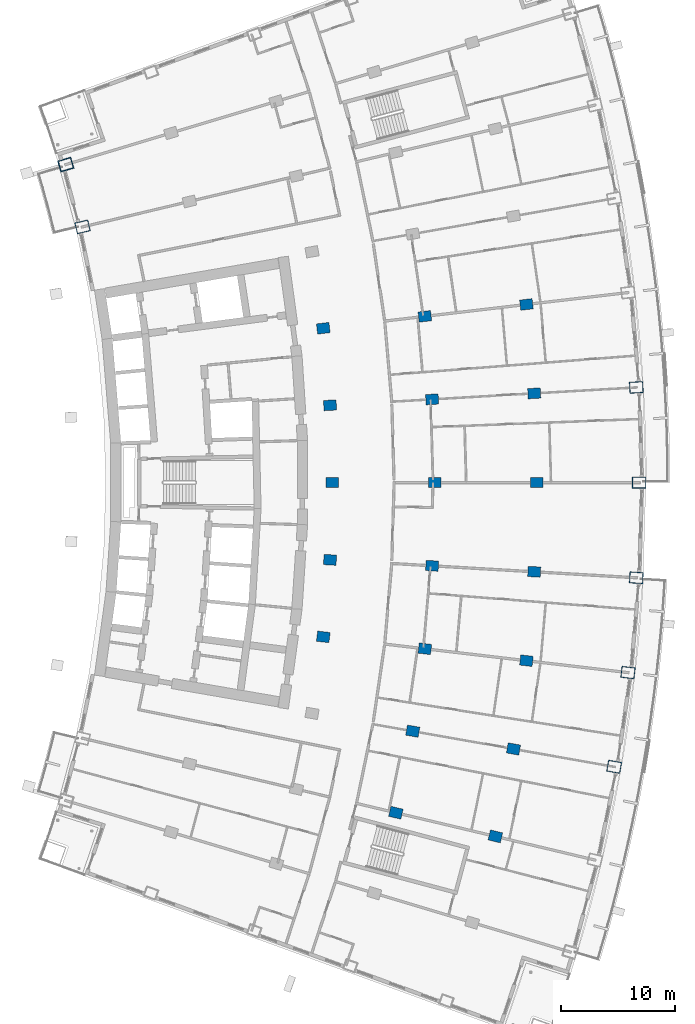
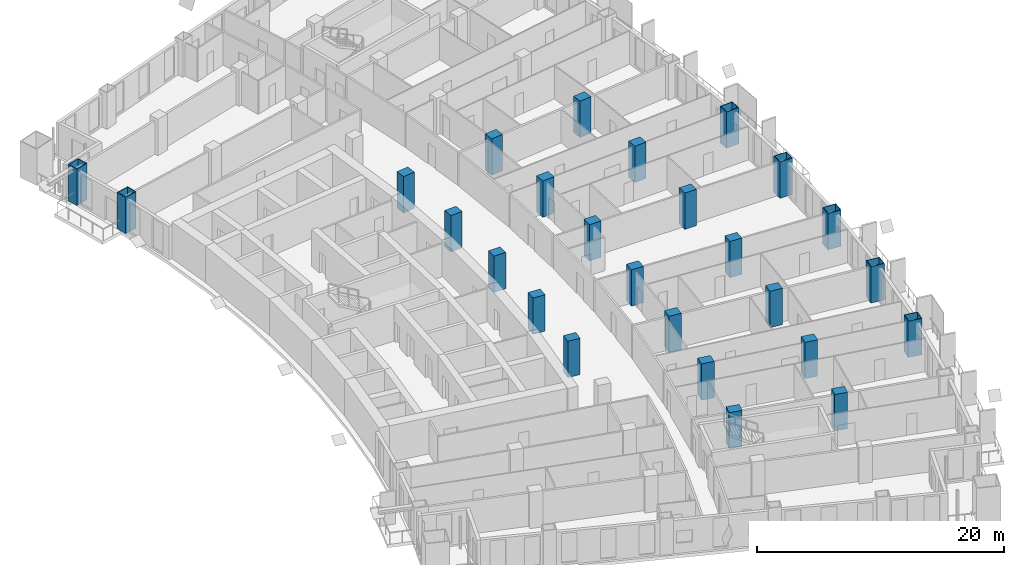
# One storey, part 6 of 25: 26 columns.
"""IFC4 building model written with IfcOpenShell, lengths in metres."""

from ifc_helpers import new_model, si_unit, direction, frame, origin, origin_2d, place, context, subcontext, project, spatial, rectangle, hollow_rectangle, extrude, material, material_profile, profile_set, type_object, element, save


model = new_model("IFC4")

# Units and contexts
model_context = context("Model", 3, precision=1e-05, world=origin(), true_north=direction((0.0, 1.0)))
body_context = subcontext(model_context, "Body", "Model", "MODEL_VIEW")
ifc_project = project(units=[si_unit("LENGTHUNIT", "METRE"), si_unit("AREAUNIT", "SQUARE_METRE"), si_unit("VOLUMEUNIT", "CUBIC_METRE"), si_unit("PLANEANGLEUNIT", "RADIAN"), si_unit("MASSUNIT", "GRAM", prefix="KILO")], contexts=[model_context])

# Site, building, storey
site_placement = place(None, origin())
site = spatial("IfcSite", under=ifc_project, at=site_placement, CompositionType="ELEMENT")
building_placement = place(site_placement, origin())
building = spatial("IfcBuilding", under=site, at=building_placement, Name="Alderwake Tower", CompositionType="ELEMENT")
storey_placement = place(building_placement, frame((0.0, 0.0, 60.800048828125)))
storey = spatial("IfcBuildingStorey", under=building, at=storey_placement, Name="L14", CompositionType="ELEMENT", Elevation=60.800048828125)

# Columns
ifc_material_1 = material(Name="Concrete C70/85", Category="concrete")
ifc_material_profile_1 = material_profile(ifc_material_1, rectangle(XDim=0.89990234375, YDim=1.10009765625, at=origin_2d()), Name="RC 1100X900")
ifc_profile_set_1 = profile_set([ifc_material_profile_1], Name="Concrete C70/85")
column_type_1 = type_object("IfcColumnType", Name="Interior column Z1", PredefinedType="COLUMN", material=ifc_profile_set_1)
for number, where, z_axis, x_axis, name in (
    (1, (41.353271484375, 32.158935546875, 0.0), (0.0, 0.0, 1.0), (0.231221547198, 0.972901123502, 0.0), "Column R03-C3"),
    (2, (50.04443359375, 30.09326171875, 0.0), (0.0, 0.0, 1.0), (0.231221547198, 0.972901123502, 0.0), "Column R03-C4"),
    (3, (42.828125, 39.282958984375, 0.0), (0.0, 0.0, 1.0), (0.174108800747, 0.984726421654, 0.0), "Column R04-C3"),
    (4, (51.625, 37.7275390625, 0.0), (0.0, 0.0, 1.0), (0.174108800747, 0.984726421654, 0.0), "Column R04-C4"),
    (5, (35.0126953125, 47.5205078125, 0.0), (0.0, 0.0, 1.0), (0.116402054316, 0.993202175668, 0.0), "Column R05-C2"),
    (6, (43.885498046875, 46.480712890625, 0.0), (0.0, 0.0, 1.0), (0.116402054316, 0.993202175668, 0.0), "Column R05-C3"),
    (7, (52.758056640625, 45.44091796875, 0.0), (0.0, 0.0, 1.0), (0.116402054316, 0.993202175668, 0.0), "Column R05-C4"),
    (8, (35.60302734375, 54.248779296875, 0.0), (0.0, 0.0, 1.0), (0.058301061284, 0.998299046505, 0.0), "Column R06-C2"),
    (9, (44.52099609375, 53.72802734375, 0.0), (0.0, 0.0, 1.0), (0.058301061284, 0.998299046505, 0.0), "Column R06-C3"),
    (10, (53.439208984375, 53.207275390625, 0.0), (0.0, 0.0, 1.0), (0.058301061284, 0.998299046505, 0.0), "Column R06-C4"),
    (11, (35.800048828125, 61.0, 0.0), (0.0, 0.0, 1.0), (0.0, 1.0, 0.0), "Column R07-C2"),
    (12, (44.7333984375, 61.0, 0.0), (0.0, 0.0, 1.0), (0.0, 1.0, 0.0), "Column R07-C3"),
    (13, (53.666748046875, 61.0, 0.0), (0.0, 0.0, 1.0), (0.0, 1.0, 0.0), "Column R07-C4"),
    (14, (35.60302734375, 67.751220703125, 0.0), (0.0, 0.0, 1.0), (-0.058301061284, 0.998299046505, 0.0), "Column R08-C2"),
    (15, (44.52099609375, 68.27197265625, 0.0), (0.0, 0.0, 1.0), (-0.058301061284, 0.998299046505, 0.0), "Column R08-C3"),
    (16, (53.439208984375, 68.792724609375, 0.0), (0.0, 0.0, 1.0), (-0.058301061284, 0.998299046505, 0.0), "Column R08-C4"),
    (17, (35.0126953125, 74.4794921875, 0.0), (0.0, 0.0, 1.0), (-0.116402054316, 0.993202175668, 0.0), "Column R09-C2"),
    (18, (43.885498046875, 75.519287109375, 0.0), (0.0, 0.0, 1.0), (-0.116402054316, 0.993202175668, 0.0), "Column R09-C3"),
    (19, (52.758056640625, 76.55908203125, 0.0), (0.0, 0.0, 1.0), (-0.116402054316, 0.993202175668, 0.0), "Column R09-C4"),
):
    element("IfcColumn", number, at=place(storey_placement, frame(where, z_axis=z_axis, x_axis=x_axis)), inside=storey, type_object=column_type_1, Name=name, PredefinedType="COLUMN", context=body_context, shape_type="SweptSolid", body=[
        extrude(rectangle(XDim=0.89990234375, YDim=1.10009765625, at=origin_2d()), origin(), (0.0, 0.0, 1.0), 3.599853515625),
    ])
ifc_material_2 = material(Name="Steel ASTM A572 Grade 50 concrete filled C70/85", Category="concrete")
ifc_material_profile_2 = material_profile(ifc_material_2, hollow_rectangle(XDim=1.0, YDim=1.199951171875, WallThickness=0.06005859375, at=origin_2d()), Name="BOX 1200X1000X60")
ifc_profile_set_2 = profile_set([ifc_material_profile_2], Name="Steel ASTM A572 Grade 50 concrete filled C70/85")
column_type_2 = type_object("IfcColumnType", Name="Perimeter column Z1", PredefinedType="COLUMN", material=ifc_profile_set_2)
for number, where, z_axis, x_axis, name in (
    (20, (60.422119140625, 36.172119140625, 0.0), (0.0, 0.0, 1.0), (0.174108800747, 0.984726421654, 0.0), "Column R04-C5"),
    (21, (61.630615234375, 44.40087890625, 0.0), (0.0, 0.0, 1.0), (0.116402054316, 0.993202175668, 0.0), "Column R05-C5"),
    (22, (62.357421875, 52.686279296875, 0.0), (0.0, 0.0, 1.0), (0.058299318924, 0.998299148258, 0.0), "Column R06-C5"),
    (23, (62.60009765625, 61.0, 0.0), (0.0, 0.0, 1.0), (0.0, 1.0, 0.0), "Column R07-C5"),
    (24, (62.357421875, 69.313720703125, 0.0), (0.0, 0.0, 1.0), (-0.058299318924, 0.998299148258, 0.0), "Column R08-C5"),
    (25, (13.982177734375, 83.3359375, 0.0), (0.0, 0.0, 1.0), (-0.231221547198, 0.972901123502, 0.0), "Column R11-C0"),
    (26, (12.520263671875, 88.777099609375, 0.0), (0.0, 0.0, 1.0), (-0.287549418125, 0.957765802342, 0.0), "Column R12-C0"),
):
    element("IfcColumn", number, at=place(storey_placement, frame(where, z_axis=z_axis, x_axis=x_axis)), inside=storey, type_object=column_type_2, Name=name, PredefinedType="COLUMN", context=body_context, shape_type="SweptSolid", body=[
        extrude(hollow_rectangle(XDim=1.0, YDim=1.199951171875, WallThickness=0.06005859375, at=origin_2d()), origin(), (0.0, 0.0, 1.0), 3.599853515625),
    ])

save(model, "model.ifc")
